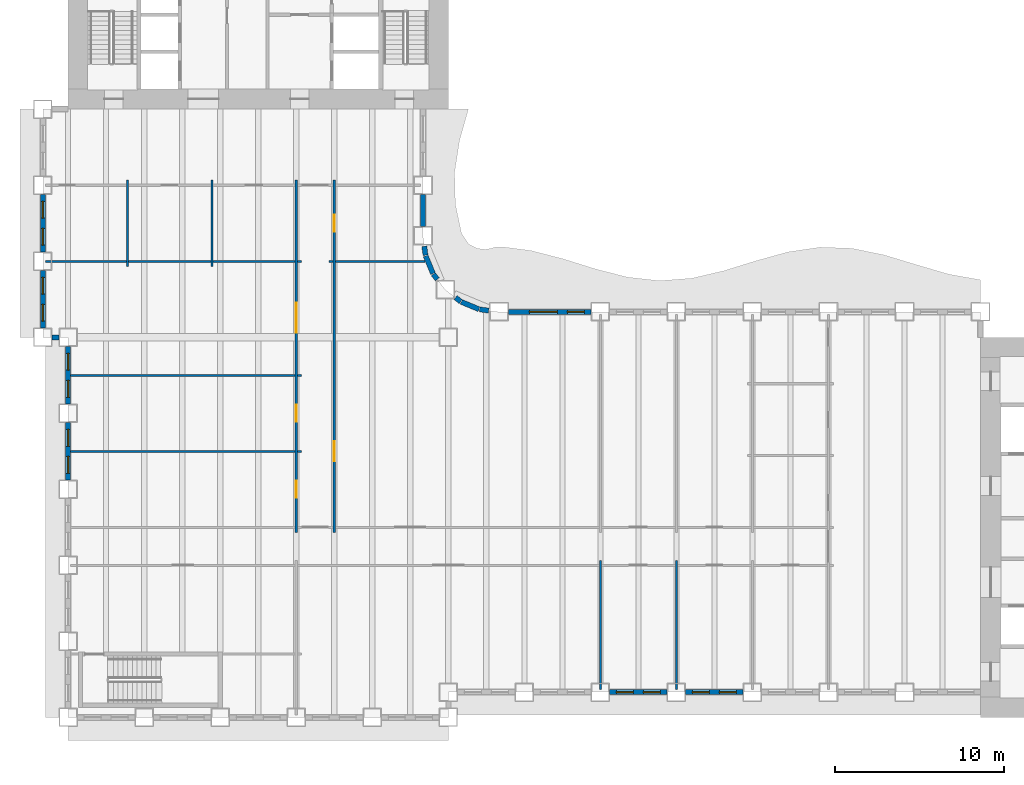
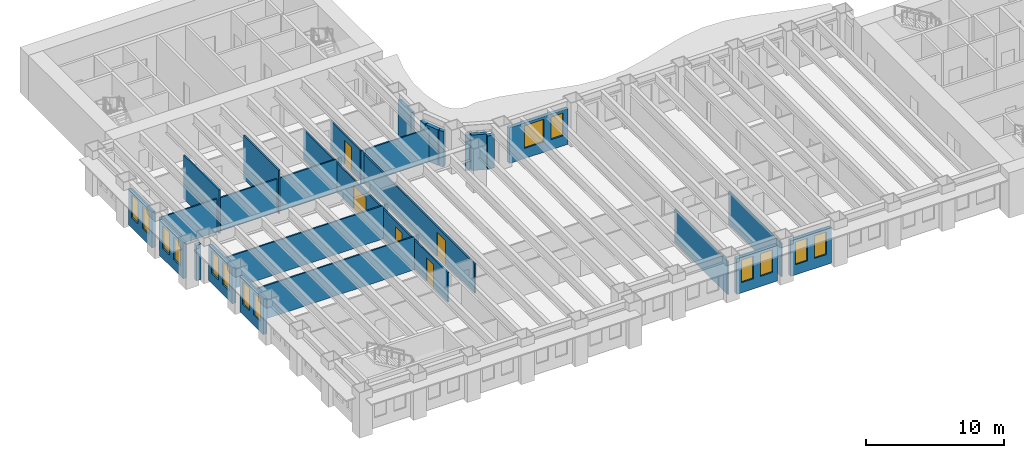
# One storey, part 4 of 15: 31 walls, 14 windows, 5 doors, 19 openings.
"""IFC4 building model written with IfcOpenShell, lengths in metres."""

from ifc_helpers import new_model, si_unit, direction, frame, frame_2d, origin, place, context, subcontext, project, spatial, rectangle, extrude, material, layer, layer_set, type_object, element, fill, save


model = new_model("IFC4")

# Units and contexts
model_context = context("Model", 3, precision=1e-05, world=origin(), true_north=direction((0.0, 1.0)))
body_context = subcontext(model_context, "Body", "Model", "MODEL_VIEW")
ifc_project = project(units=[si_unit("LENGTHUNIT", "METRE"), si_unit("AREAUNIT", "SQUARE_METRE"), si_unit("VOLUMEUNIT", "CUBIC_METRE"), si_unit("PLANEANGLEUNIT", "RADIAN"), si_unit("MASSUNIT", "GRAM", prefix="KILO")], contexts=[model_context])

# Site, building, storey
site_placement = place(None, origin())
site = spatial("IfcSite", under=ifc_project, at=site_placement, CompositionType="ELEMENT")
building_placement = place(site_placement, origin())
building = spatial("IfcBuilding", under=site, at=building_placement, Name="Sennacour Bend Tower", CompositionType="ELEMENT")
storey_placement = place(building_placement, frame((0.0, 0.0, 65.0)))
storey = spatial("IfcBuildingStorey", under=building, at=storey_placement, Name="L14", CompositionType="ELEMENT", Elevation=65.0)

# Walls
ifc_material_1 = material(Name="Plasterboard partition on steel studs", Category="steel")
ifc_layer_1 = layer(ifc_material_1, 0.1201171875, Name="Plasterboard partition on steel studs", Category="steel")
ifc_layer_set_1 = layer_set([ifc_layer_1], Name="Plasterboard partition on steel studs")
wall_type_1 = type_object("IfcWallType", Name="Partition 120", PredefinedType="PARTITIONING", material=ifc_layer_set_1)
for number, where, z_axis, x_axis, name in (
    (1, (3.5, 26.699951171875, 0.0), (0.0, 0.0, 1.0), (0.0, 1.0, 0.0), "P-L14-W004a"),
    (2, (8.5, 26.699951171875, 0.0), (0.0, 0.0, 1.0), (0.0, 1.0, 0.0), "P-L14-W008a"),
):
    element("IfcWall", number, at=place(storey_placement, frame(where, z_axis=z_axis, x_axis=x_axis)), inside=storey, type_object=wall_type_1, Name=name, PredefinedType="PARTITIONING", context=body_context, shape_type="SweptSolid", body=[
        extrude(rectangle(XDim=5.10009765625, YDim=0.1201171875, at=frame_2d((2.550048828125, 0.0))), origin(), (0.0, 0.0, 1.0), 3.85009765625),
    ])

# Wall, openings, doors
wall_1_placement = place(storey_placement, frame((13.5, 10.949951171875, 0.0), z_axis=(0.0, 0.0, 1.0), x_axis=(0.0, 1.0, 0.0)))
wall_1 = element("IfcWall", 3, at=wall_1_placement, inside=storey, type_object=wall_type_1, Name="P-L14-W013a", PredefinedType="PARTITIONING", context=body_context, shape_type="SweptSolid", body=[
    extrude(rectangle(XDim=20.85009765625, YDim=0.1201171875, at=frame_2d((10.425048828125, 0.0))), origin(), (0.0, 0.0, 1.0), 2.60009765625),
])
opening_1_placement = place(wall_1_placement, frame((2.050048828125, 0.0, 0.0)))
opening_1 = element("IfcOpeningElement", 4, at=opening_1_placement, cuts=wall_1, Name="Opening OD2", PredefinedType="OPENING", context=body_context, shape_type="SweptSolid", body=[
    extrude(rectangle(XDim=1.0, YDim=2.10009765625, at=frame_2d((0.5, 1.050048828125))), frame((0.0, 0.070068359375, 0.0), z_axis=(0.0, -1.0, 0.0), x_axis=(1.0, 0.0, 0.0)), (0.0, 0.0, 1.0), 0.14013671875),
])
opening_2_placement = place(wall_1_placement, frame((6.550048828125, 0.0, 0.0)))
opening_2 = element("IfcOpeningElement", 5, at=opening_2_placement, cuts=wall_1, Name="Opening OD2", PredefinedType="OPENING", context=body_context, shape_type="SweptSolid", body=[
    extrude(rectangle(XDim=1.0, YDim=2.10009765625, at=frame_2d((0.5, 1.050048828125))), frame((0.0, 0.070068359375, 0.0), z_axis=(0.0, -1.0, 0.0), x_axis=(1.0, 0.0, 0.0)), (0.0, 0.0, 1.0), 0.14013671875),
])
opening_3_placement = place(wall_1_placement, frame((11.804931640625, 0.0, 0.0)))
opening_3 = element("IfcOpeningElement", 6, at=opening_3_placement, cuts=wall_1, Name="Opening OD3", PredefinedType="OPENING", context=body_context, shape_type="SweptSolid", body=[
    extrude(rectangle(XDim=1.800048828125, YDim=2.10009765625, at=frame_2d((0.89990234375, 1.050048828125))), frame((0.0, 0.070068359375, 0.0), z_axis=(0.0, -1.0, 0.0), x_axis=(1.0, 0.0, 0.0)), (0.0, 0.0, 1.0), 0.14013671875),
])
ifc_material_2 = material(Name="Timber", Category="wood")
door_type_1 = type_object("IfcDoorType", Name="DR-OFFICE-1000", OperationType="NOTDEFINED", PredefinedType="DOOR", material=ifc_material_2)
door_1_placement = place(opening_1_placement, origin())
door_1 = element("IfcDoor", 7, at=door_1_placement, inside=storey, type_object=door_type_1, Name="Door", OperationType="SINGLE_SWING_LEFT", OverallHeight=2.10009765625, OverallWidth=1.0, PredefinedType="DOOR", context=body_context, shape_type="SweptSolid", body=[
    extrude(rectangle(XDim=1.0, YDim=2.10009765625, at=frame_2d((0.5, 1.050048828125))), frame((0.0, 0.02490234375, 0.0), z_axis=(0.0, -1.0, 0.0), x_axis=(1.0, 0.0, 0.0)), (0.0, 0.0, 1.0), 0.050048828125),
])
fill(opening_1, door_1)
door_2_placement = place(opening_2_placement, origin())
door_2 = element("IfcDoor", 8, at=door_2_placement, inside=storey, type_object=door_type_1, Name="Door", OperationType="SINGLE_SWING_LEFT", OverallHeight=2.10009765625, OverallWidth=1.0, PredefinedType="DOOR", context=body_context, shape_type="SweptSolid", body=[
    extrude(rectangle(XDim=1.0, YDim=2.10009765625, at=frame_2d((0.5, 1.050048828125))), frame((0.0, 0.02490234375, 0.0), z_axis=(0.0, -1.0, 0.0), x_axis=(1.0, 0.0, 0.0)), (0.0, 0.0, 1.0), 0.050048828125),
])
fill(opening_2, door_2)
door_type_2 = type_object("IfcDoorType", Name="DR-OFFICE-1800", OperationType="NOTDEFINED", PredefinedType="DOOR", material=ifc_material_2)
door_3_placement = place(opening_3_placement, origin())
door_3 = element("IfcDoor", 9, at=door_3_placement, inside=storey, type_object=door_type_2, Name="Door", OperationType="DOUBLE_DOOR_SINGLE_SWING", OverallHeight=2.10009765625, OverallWidth=1.800048828125, PredefinedType="DOOR", context=body_context, shape_type="SweptSolid", body=[
    extrude(rectangle(XDim=1.800048828125, YDim=2.10009765625, at=frame_2d((0.89990234375, 1.050048828125))), frame((0.0, 0.02490234375, 0.0), z_axis=(0.0, -1.0, 0.0), x_axis=(1.0, 0.0, 0.0)), (0.0, 0.0, 1.0), 0.050048828125),
])
fill(opening_3, door_3)

wall_2_placement = place(storey_placement, frame((15.75, 10.949951171875, 0.0), z_axis=(0.0, 0.0, 1.0), x_axis=(0.0, 1.0, 0.0)))
wall_2 = element("IfcWall", 10, at=wall_2_placement, inside=storey, type_object=wall_type_1, Name="P-L14-W017a", PredefinedType="PARTITIONING", context=body_context, shape_type="SweptSolid", body=[
    extrude(rectangle(XDim=20.85009765625, YDim=0.1201171875, at=frame_2d((10.425048828125, 0.0))), origin(), (0.0, 0.0, 1.0), 2.60009765625),
])
opening_4_placement = place(wall_2_placement, frame((17.800048828125, 0.0, 0.0)))
opening_4 = element("IfcOpeningElement", 11, at=opening_4_placement, cuts=wall_2, Name="Opening OD2", PredefinedType="OPENING", context=body_context, shape_type="SweptSolid", body=[
    extrude(rectangle(XDim=1.0, YDim=2.10009765625, at=frame_2d((0.5, 1.050048828125))), frame((0.0, 0.070068359375, 0.0), z_axis=(0.0, -1.0, 0.0), x_axis=(1.0, 0.0, 0.0)), (0.0, 0.0, 1.0), 0.14013671875),
])
opening_5_placement = place(wall_2_placement, frame((4.199951171875, 0.0, 0.0)))
opening_5 = element("IfcOpeningElement", 12, at=opening_5_placement, cuts=wall_2, Name="Opening OD", PredefinedType="OPENING", context=body_context, shape_type="SweptSolid", body=[
    extrude(rectangle(XDim=1.199951171875, YDim=2.10009765625, at=frame_2d((0.60009765625, 1.050048828125))), frame((0.0, 0.070068359375, 0.0), z_axis=(0.0, -1.0, 0.0), x_axis=(1.0, 0.0, 0.0)), (0.0, 0.0, 1.0), 0.14013671875),
])
door_4_placement = place(opening_4_placement, origin())
door_4 = element("IfcDoor", 13, at=door_4_placement, inside=storey, type_object=door_type_1, Name="Door", OperationType="SINGLE_SWING_RIGHT", OverallHeight=2.10009765625, OverallWidth=1.0, PredefinedType="DOOR", context=body_context, shape_type="SweptSolid", body=[
    extrude(rectangle(XDim=1.0, YDim=2.10009765625, at=frame_2d((0.5, 1.050048828125))), frame((0.0, 0.02490234375, 0.0), z_axis=(0.0, -1.0, 0.0), x_axis=(1.0, 0.0, 0.0)), (0.0, 0.0, 1.0), 0.050048828125),
])
fill(opening_4, door_4)
door_type_3 = type_object("IfcDoorType", Name="DR-OFFICE-1200", OperationType="NOTDEFINED", PredefinedType="DOOR", material=ifc_material_2)
door_5_placement = place(opening_5_placement, origin())
door_5 = element("IfcDoor", 14, at=door_5_placement, inside=storey, type_object=door_type_3, Name="Door", OperationType="SINGLE_SWING_LEFT", OverallHeight=2.10009765625, OverallWidth=1.199951171875, PredefinedType="DOOR", context=body_context, shape_type="SweptSolid", body=[
    extrude(rectangle(XDim=1.199951171875, YDim=2.10009765625, at=frame_2d((0.60009765625, 1.050048828125))), frame((0.0, 0.02490234375, 0.0), z_axis=(0.0, -1.0, 0.0), x_axis=(1.0, 0.0, 0.0)), (0.0, 0.0, 1.0), 0.050048828125),
])
fill(opening_5, door_5)

# Walls
for number, where, z_axis, x_axis, name in (
    (15, (31.5, 1.64990234375, 0.0), (0.0, 0.0, 1.0), (0.0, 1.0, 0.0), "P-L14-W023a"),
    (16, (36.0, 1.64990234375, 0.0), (0.0, 0.0, 1.0), (0.0, 1.0, 0.0), "P-L14-W025a"),
):
    element("IfcWall", number, at=place(storey_placement, frame(where, z_axis=z_axis, x_axis=x_axis)), inside=storey, type_object=wall_type_1, Name=name, PredefinedType="PARTITIONING", context=body_context, shape_type="SweptSolid", body=[
        extrude(rectangle(XDim=7.650146484375, YDim=0.1201171875, at=frame_2d((3.8251953125, 0.0))), origin(), (0.0, 0.0, 1.0), 2.93798828125),
    ])
wall_3_placement = place(storey_placement, frame((0.14990234375, 15.75, 0.0), z_axis=(0.0, 0.0, 1.0), x_axis=(1.0, 0.0, 0.0)))
element("IfcWall", 17, at=wall_3_placement, inside=storey, type_object=wall_type_1, Name="P-L14-W059aa", PredefinedType="PARTITIONING", context=body_context, shape_type="SweptSolid", body=[
    extrude(rectangle(XDim=13.2900390625, YDim=0.1201171875, at=frame_2d((6.64501953125, 0.0))), origin(), (0.0, 0.0, 1.0), 2.93798828125),
])
wall_4_placement = place(storey_placement, frame((13.56005859375, 15.75, 0.0), z_axis=(0.0, 0.0, 1.0), x_axis=(1.0, 0.0, 0.0)))
element("IfcWall", 18, at=wall_4_placement, inside=storey, type_object=wall_type_1, Name="P-L14-W059ab", PredefinedType="PARTITIONING", context=body_context, shape_type="SweptSolid", body=[
    extrude(rectangle(XDim=0.239990234375, YDim=0.1201171875, at=frame_2d((0.1201171875, 0.0))), origin(), (0.0, 0.0, 1.0), 2.93798828125),
])
wall_5_placement = place(storey_placement, frame((0.14990234375, 20.25, 0.0), z_axis=(0.0, 0.0, 1.0), x_axis=(1.0, 0.0, 0.0)))
element("IfcWall", 19, at=wall_5_placement, inside=storey, type_object=wall_type_1, Name="P-L14-W065aa", PredefinedType="PARTITIONING", context=body_context, shape_type="SweptSolid", body=[
    extrude(rectangle(XDim=13.2900390625, YDim=0.1201171875, at=frame_2d((6.64501953125, 0.0))), origin(), (0.0, 0.0, 1.0), 2.93798828125),
])
wall_6_placement = place(storey_placement, frame((13.56005859375, 20.25, 0.0), z_axis=(0.0, 0.0, 1.0), x_axis=(1.0, 0.0, 0.0)))
element("IfcWall", 20, at=wall_6_placement, inside=storey, type_object=wall_type_1, Name="P-L14-W065ab", PredefinedType="PARTITIONING", context=body_context, shape_type="SweptSolid", body=[
    extrude(rectangle(XDim=0.239990234375, YDim=0.1201171875, at=frame_2d((0.1201171875, 0.0))), origin(), (0.0, 0.0, 1.0), 2.93798828125),
])
wall_7_placement = place(storey_placement, frame((-1.35009765625, 27.0, 0.0), z_axis=(0.0, 0.0, 1.0), x_axis=(1.0, 0.0, 0.0)))
element("IfcWall", 21, at=wall_7_placement, inside=storey, type_object=wall_type_1, Name="P-L14-W067aa", PredefinedType="PARTITIONING", context=body_context, shape_type="SweptSolid", body=[
    extrude(rectangle(XDim=4.7900390625, YDim=0.1201171875, at=frame_2d((2.39501953125, 0.0))), origin(), (0.0, 0.0, 1.0), 2.93798828125),
])
for number, where, z_axis, x_axis, name in (
    (22, (3.56005859375, 27.0, 0.0), (0.0, 0.0, 1.0), (1.0, 0.0, 0.0), "P-L14-W067ab"),
    (23, (8.56005859375, 27.0, 0.0), (0.0, 0.0, 1.0), (1.0, 0.0, 0.0), "P-L14-W067ac"),
):
    element("IfcWall", number, at=place(storey_placement, frame(where, z_axis=z_axis, x_axis=x_axis)), inside=storey, type_object=wall_type_1, Name=name, PredefinedType="PARTITIONING", context=body_context, shape_type="SweptSolid", body=[
        extrude(rectangle(XDim=4.8798828125, YDim=0.1201171875, at=frame_2d((2.43994140625, 0.0))), origin(), (0.0, 0.0, 1.0), 2.93798828125),
    ])
for number, where, z_axis, x_axis, name in (
    (24, (13.56005859375, 27.0, 0.0), (0.0, 0.0, 1.0), (1.0, 0.0, 0.0), "P-L14-W067ad"),
    (25, (15.449951171875, 27.0, 0.0), (0.0, 0.0, 1.0), (1.0, 0.0, 0.0), "P-L14-W068aa"),
):
    element("IfcWall", number, at=place(storey_placement, frame(where, z_axis=z_axis, x_axis=x_axis)), inside=storey, type_object=wall_type_1, Name=name, PredefinedType="PARTITIONING", context=body_context, shape_type="SweptSolid", body=[
        extrude(rectangle(XDim=0.239990234375, YDim=0.1201171875, at=frame_2d((0.1201171875, 0.0))), origin(), (0.0, 0.0, 1.0), 2.93798828125),
    ])
wall_8_placement = place(storey_placement, frame((15.81005859375, 27.0, 0.0), z_axis=(0.0, 0.0, 1.0), x_axis=(1.0, 0.0, 0.0)))
element("IfcWall", 26, at=wall_8_placement, inside=storey, type_object=wall_type_1, Name="P-L14-W068ab", PredefinedType="PARTITIONING", context=body_context, shape_type="SweptSolid", body=[
    extrude(rectangle(XDim=5.31982421875, YDim=0.1201171875, at=frame_2d((2.659912109375, 0.0))), origin(), (0.0, 0.0, 1.0), 2.93798828125),
])

# Wall, openings, windows
ifc_material_3 = material(Name="Warm limestone cladding", Category="masonry")
ifc_layer_2 = layer(ifc_material_3, 0.050048828125, Name="Warm limestone cladding", Category="masonry")
ifc_material_4 = material(Name="Precast concrete C40/50", Category="concrete")
ifc_layer_3 = layer(ifc_material_4, 0.25, Name="Precast concrete C40/50", Category="concrete")
ifc_layer_set_2 = layer_set([ifc_layer_2, ifc_layer_3], Name="Precast concrete C40/50 with limestone cladding")
wall_type_2 = type_object("IfcWallType", Name="STONE-CLAD PRECAST SPANDREL 300", PredefinedType="STANDARD", material=ifc_layer_set_2)
wall_9_placement = place(storey_placement, frame((32.050048828125, 1.5, 0.0), z_axis=(0.0, 0.0, 1.0), x_axis=(1.0, 0.0, 0.0)))
wall_9 = element("IfcWall", 27, at=wall_9_placement, inside=storey, type_object=wall_type_2, Name="Stone spandrel and pier wall L14 02.02", PredefinedType="STANDARD", context=body_context, shape_type="SweptSolid", body=[
    extrude(rectangle(XDim=3.39990234375, YDim=0.300048828125, at=frame_2d((1.699951171875, 0.0))), origin(), (0.0, 0.0, 1.0), 3.14404296875),
])
opening_6_placement = place(wall_9_placement, frame((0.39990234375, 0.0, 0.89990234375)))
opening_6 = element("IfcOpeningElement", 28, at=opening_6_placement, cuts=wall_9, Name="Opening W8", PredefinedType="OPENING", context=body_context, shape_type="SweptSolid", body=[
    extrude(rectangle(XDim=1.0, YDim=2.0, at=frame_2d((0.5, 1.0))), frame((0.0, 0.16015625, 0.0), z_axis=(0.0, -1.0, 0.0), x_axis=(1.0, 0.0, 0.0)), (0.0, 0.0, 1.0), 0.320068359375),
])
opening_7_placement = place(wall_9_placement, frame((2.0, 0.0, 0.89990234375)))
opening_7 = element("IfcOpeningElement", 29, at=opening_7_placement, cuts=wall_9, Name="Opening W8", PredefinedType="OPENING", context=body_context, shape_type="SweptSolid", body=[
    extrude(rectangle(XDim=1.0, YDim=2.0, at=frame_2d((0.5, 1.0))), frame((0.0, 0.16015625, 0.0), z_axis=(0.0, -1.0, 0.0), x_axis=(1.0, 0.0, 0.0)), (0.0, 0.0, 1.0), 0.320068359375),
])
ifc_material_5 = material(Name="Clear low-emissivity glass", Category="glass")
window_type_1 = type_object("IfcWindowType", Name="WIN-RIBBON-1000x2000", PartitioningType="SINGLE_PANEL", PredefinedType="WINDOW", material=ifc_material_5)
window_1_placement = place(opening_6_placement, origin())
window_1 = element("IfcWindow", 30, at=window_1_placement, inside=storey, type_object=window_type_1, Name="Ribbon window L14 02.02.0", OverallHeight=2.0, OverallWidth=1.0, PartitioningType="SINGLE_PANEL", PredefinedType="WINDOW", context=body_context, shape_type="SweptSolid", body=[
    extrude(rectangle(XDim=1.0, YDim=2.0, at=frame_2d((0.5, 1.0))), frame((0.0, 0.030029296875, 0.0), z_axis=(0.0, -1.0, 0.0), x_axis=(1.0, 0.0, 0.0)), (0.0, 0.0, 1.0), 0.06005859375),
])
fill(opening_6, window_1)
window_2_placement = place(opening_7_placement, origin())
window_2 = element("IfcWindow", 31, at=window_2_placement, inside=storey, type_object=window_type_1, Name="Ribbon window L14 02.02.1", OverallHeight=2.0, OverallWidth=1.0, PartitioningType="SINGLE_PANEL", PredefinedType="WINDOW", context=body_context, shape_type="SweptSolid", body=[
    extrude(rectangle(XDim=1.0, YDim=2.0, at=frame_2d((0.5, 1.0))), frame((0.0, 0.030029296875, 0.0), z_axis=(0.0, -1.0, 0.0), x_axis=(1.0, 0.0, 0.0)), (0.0, 0.0, 1.0), 0.06005859375),
])
fill(opening_7, window_2)

wall_10_placement = place(storey_placement, frame((36.550048828125, 1.5, 0.0), z_axis=(0.0, 0.0, 1.0), x_axis=(1.0, 0.0, 0.0)))
wall_10 = element("IfcWall", 32, at=wall_10_placement, inside=storey, type_object=wall_type_2, Name="Stone spandrel and pier wall L14 02.03", PredefinedType="STANDARD", context=body_context, shape_type="SweptSolid", body=[
    extrude(rectangle(XDim=3.39990234375, YDim=0.300048828125, at=frame_2d((1.699951171875, 0.0))), origin(), (0.0, 0.0, 1.0), 3.14404296875),
])
opening_8_placement = place(wall_10_placement, frame((0.39990234375, 0.0, 0.89990234375)))
opening_8 = element("IfcOpeningElement", 33, at=opening_8_placement, cuts=wall_10, Name="Opening W8", PredefinedType="OPENING", context=body_context, shape_type="SweptSolid", body=[
    extrude(rectangle(XDim=1.0, YDim=2.0, at=frame_2d((0.5, 1.0))), frame((0.0, 0.16015625, 0.0), z_axis=(0.0, -1.0, 0.0), x_axis=(1.0, 0.0, 0.0)), (0.0, 0.0, 1.0), 0.320068359375),
])
opening_9_placement = place(wall_10_placement, frame((2.0, 0.0, 0.89990234375)))
opening_9 = element("IfcOpeningElement", 34, at=opening_9_placement, cuts=wall_10, Name="Opening W8", PredefinedType="OPENING", context=body_context, shape_type="SweptSolid", body=[
    extrude(rectangle(XDim=1.0, YDim=2.0, at=frame_2d((0.5, 1.0))), frame((0.0, 0.16015625, 0.0), z_axis=(0.0, -1.0, 0.0), x_axis=(1.0, 0.0, 0.0)), (0.0, 0.0, 1.0), 0.320068359375),
])
window_3_placement = place(opening_8_placement, origin())
window_3 = element("IfcWindow", 35, at=window_3_placement, inside=storey, type_object=window_type_1, Name="Ribbon window L14 02.03.0", OverallHeight=2.0, OverallWidth=1.0, PartitioningType="SINGLE_PANEL", PredefinedType="WINDOW", context=body_context, shape_type="SweptSolid", body=[
    extrude(rectangle(XDim=1.0, YDim=2.0, at=frame_2d((0.5, 1.0))), frame((0.0, 0.030029296875, 0.0), z_axis=(0.0, -1.0, 0.0), x_axis=(1.0, 0.0, 0.0)), (0.0, 0.0, 1.0), 0.06005859375),
])
fill(opening_8, window_3)
window_4_placement = place(opening_9_placement, origin())
window_4 = element("IfcWindow", 36, at=window_4_placement, inside=storey, type_object=window_type_1, Name="Ribbon window L14 02.03.1", OverallHeight=2.0, OverallWidth=1.0, PartitioningType="SINGLE_PANEL", PredefinedType="WINDOW", context=body_context, shape_type="SweptSolid", body=[
    extrude(rectangle(XDim=1.0, YDim=2.0, at=frame_2d((0.5, 1.0))), frame((0.0, 0.030029296875, 0.0), z_axis=(0.0, -1.0, 0.0), x_axis=(1.0, 0.0, 0.0)), (0.0, 0.0, 1.0), 0.06005859375),
])
fill(opening_9, window_4)

wall_11_placement = place(storey_placement, frame((30.949951171875, 24.0, 0.0), z_axis=(0.0, 0.0, 1.0), x_axis=(-1.0, 0.0, 0.0)))
wall_11 = element("IfcWall", 37, at=wall_11_placement, inside=storey, type_object=wall_type_2, Name="Stone spandrel and pier wall L14 08.05", PredefinedType="STANDARD", context=body_context, shape_type="SweptSolid", body=[
    extrude(rectangle(XDim=4.89990234375, YDim=0.300048828125, at=frame_2d((2.449951171875, 0.0))), origin(), (0.0, 0.0, 1.0), 3.14404296875),
])
opening_10_placement = place(wall_11_placement, frame((0.39990234375, 0.0, 0.89990234375)))
opening_10 = element("IfcOpeningElement", 38, at=opening_10_placement, cuts=wall_11, Name="Opening W8", PredefinedType="OPENING", context=body_context, shape_type="SweptSolid", body=[
    extrude(rectangle(XDim=1.0, YDim=2.0, at=frame_2d((0.5, 1.0))), frame((0.0, 0.16015625, 0.0), z_axis=(0.0, -1.0, 0.0), x_axis=(1.0, 0.0, 0.0)), (0.0, 0.0, 1.0), 0.320068359375),
])
opening_11_placement = place(wall_11_placement, frame((2.0, 0.0, 0.89990234375)))
opening_11 = element("IfcOpeningElement", 39, at=opening_11_placement, cuts=wall_11, Name="Opening W10", PredefinedType="OPENING", context=body_context, shape_type="SweptSolid", body=[
    extrude(rectangle(XDim=1.64990234375, YDim=2.0, at=frame_2d((0.824951171875, 1.0))), frame((0.0, 0.16015625, 0.0), z_axis=(0.0, -1.0, 0.0), x_axis=(1.0, 0.0, 0.0)), (0.0, 0.0, 1.0), 0.320068359375),
])
window_5_placement = place(opening_10_placement, origin())
window_5 = element("IfcWindow", 40, at=window_5_placement, inside=storey, type_object=window_type_1, Name="Ribbon window L14 08.05.0", OverallHeight=2.0, OverallWidth=1.0, PartitioningType="SINGLE_PANEL", PredefinedType="WINDOW", context=body_context, shape_type="SweptSolid", body=[
    extrude(rectangle(XDim=1.0, YDim=2.0, at=frame_2d((0.5, 1.0))), frame((0.0, 0.030029296875, 0.0), z_axis=(0.0, -1.0, 0.0), x_axis=(1.0, 0.0, 0.0)), (0.0, 0.0, 1.0), 0.06005859375),
])
fill(opening_10, window_5)
window_type_2 = type_object("IfcWindowType", Name="WIN-RIBBON-1650x2000", PartitioningType="SINGLE_PANEL", PredefinedType="WINDOW", material=ifc_material_5)
window_6_placement = place(opening_11_placement, origin())
window_6 = element("IfcWindow", 41, at=window_6_placement, inside=storey, type_object=window_type_2, Name="Ribbon window L14 08.05.1", OverallHeight=2.0, OverallWidth=1.64990234375, PartitioningType="SINGLE_PANEL", PredefinedType="WINDOW", context=body_context, shape_type="SweptSolid", body=[
    extrude(rectangle(XDim=1.64990234375, YDim=2.0, at=frame_2d((0.824951171875, 1.0))), frame((0.0, 0.030029296875, 0.0), z_axis=(0.0, -1.0, 0.0), x_axis=(1.0, 0.0, 0.0)), (0.0, 0.0, 1.0), 0.06005859375),
])
fill(opening_11, window_6)

# Walls
wall_12_placement = place(storey_placement, frame((24.88818359375, 24.08056640625, 0.0), z_axis=(0.0, 0.0, 1.0), x_axis=(-0.991417173479, 0.130736330569, 0.0)))
element("IfcWall", 42, at=wall_12_placement, inside=storey, type_object=wall_type_2, Name="Stone spandrel and pier wall L14 09.00", PredefinedType="STANDARD", context=body_context, shape_type="SweptSolid", body=[
    extrude(rectangle(XDim=0.537841796875, YDim=0.300048828125, at=frame_2d((0.26904296875, 0.0))), origin(), (0.0, 0.0, 1.0), 2.93798828125),
])
wall_13_placement = place(storey_placement, frame((24.317138671875, 24.160888671875, 0.0), z_axis=(0.0, 0.0, 1.0), x_axis=(-0.923914616768, 0.382598720491, 0.0)))
element("IfcWall", 43, at=wall_13_placement, inside=storey, type_object=wall_type_2, Name="Stone spandrel and pier wall L14 10.00", PredefinedType="STANDARD", context=body_context, shape_type="SweptSolid", body=[
    extrude(rectangle(XDim=1.13525390625, YDim=0.300048828125, at=frame_2d((0.567626953125, 0.0))), origin(), (0.0, 0.0, 1.0), 3.14404296875),
])
for number, where, z_axis, x_axis, name in (
    (44, (23.234375, 24.614990234375, 0.0), (0.0, 0.0, 1.0), (-0.79354495224, 0.60851163405, 0.0), "Stone spandrel and pier wall L14 11.00"),
    (45, (21.8486328125, 25.9296875, 0.0), (0.0, 0.0, 1.0), (-0.60851163405, 0.79354495224, 0.0), "Stone spandrel and pier wall L14 12.00"),
):
    element("IfcWall", number, at=place(storey_placement, frame(where, z_axis=z_axis, x_axis=x_axis)), inside=storey, type_object=wall_type_2, Name=name, PredefinedType="STANDARD", context=body_context, shape_type="SweptSolid", body=[
        extrude(rectangle(XDim=0.384033203125, YDim=0.300048828125, at=frame_2d((0.19189453125, 0.0))), origin(), (0.0, 0.0, 1.0), 3.14404296875),
    ])
wall_14_placement = place(storey_placement, frame((21.59521484375, 26.268310546875, 0.0), z_axis=(0.0, 0.0, 1.0), x_axis=(-0.382598720491, 0.923914616768, 0.0)))
element("IfcWall", 46, at=wall_14_placement, inside=storey, type_object=wall_type_2, Name="Stone spandrel and pier wall L14 13.00", PredefinedType="STANDARD", context=body_context, shape_type="SweptSolid", body=[
    extrude(rectangle(XDim=1.13525390625, YDim=0.300048828125, at=frame_2d((0.567626953125, 0.0))), origin(), (0.0, 0.0, 1.0), 3.14404296875),
])
wall_15_placement = place(storey_placement, frame((21.15087890625, 27.35498046875, 0.0), z_axis=(0.0, 0.0, 1.0), x_axis=(-0.130736330569, 0.991417173479, 0.0)))
element("IfcWall", 47, at=wall_15_placement, inside=storey, type_object=wall_type_2, Name="Stone spandrel and pier wall L14 14.00", PredefinedType="STANDARD", context=body_context, shape_type="SweptSolid", body=[
    extrude(rectangle(XDim=0.537841796875, YDim=0.300048828125, at=frame_2d((0.26904296875, 0.0))), origin(), (0.0, 0.0, 1.0), 3.14404296875),
])
wall_16_placement = place(storey_placement, frame((21.0, 29.050048828125, 0.0), z_axis=(0.0, 0.0, 1.0), x_axis=(0.0, 1.0, 0.0)))
element("IfcWall", 48, at=wall_16_placement, inside=storey, type_object=wall_type_2, Name="Stone spandrel and pier wall L14 15.00", PredefinedType="STANDARD", context=body_context, shape_type="SweptSolid", body=[
    extrude(rectangle(XDim=1.89990234375, YDim=0.300048828125, at=frame_2d((0.949951171875, 0.0))), origin(), (0.0, 0.0, 1.0), 3.14404296875),
])

# Wall, openings, windows
wall_17_placement = place(storey_placement, frame((-1.5, 30.949951171875, 0.0), z_axis=(0.0, 0.0, 1.0), x_axis=(0.0, -1.0, 0.0)))
wall_17 = element("IfcWall", 49, at=wall_17_placement, inside=storey, type_object=wall_type_2, Name="Stone spandrel and pier wall L14 21.01", PredefinedType="STANDARD", context=body_context, shape_type="SweptSolid", body=[
    extrude(rectangle(XDim=3.39990234375, YDim=0.300048828125, at=frame_2d((1.699951171875, 0.0))), origin(), (0.0, 0.0, 1.0), 3.14404296875),
])
opening_12_placement = place(wall_17_placement, frame((0.39990234375, 0.0, 0.89990234375)))
opening_12 = element("IfcOpeningElement", 50, at=opening_12_placement, cuts=wall_17, Name="Opening W8", PredefinedType="OPENING", context=body_context, shape_type="SweptSolid", body=[
    extrude(rectangle(XDim=1.0, YDim=2.0, at=frame_2d((0.5, 1.0))), frame((0.0, 0.16015625, 0.0), z_axis=(0.0, -1.0, 0.0), x_axis=(1.0, 0.0, 0.0)), (0.0, 0.0, 1.0), 0.320068359375),
])
opening_13_placement = place(wall_17_placement, frame((2.0, 0.0, 0.89990234375)))
opening_13 = element("IfcOpeningElement", 51, at=opening_13_placement, cuts=wall_17, Name="Opening W8", PredefinedType="OPENING", context=body_context, shape_type="SweptSolid", body=[
    extrude(rectangle(XDim=1.0, YDim=2.0, at=frame_2d((0.5, 1.0))), frame((0.0, 0.16015625, 0.0), z_axis=(0.0, -1.0, 0.0), x_axis=(1.0, 0.0, 0.0)), (0.0, 0.0, 1.0), 0.320068359375),
])
window_7_placement = place(opening_12_placement, origin())
window_7 = element("IfcWindow", 52, at=window_7_placement, inside=storey, type_object=window_type_1, Name="Ribbon window L14 21.01.0", OverallHeight=2.0, OverallWidth=1.0, PartitioningType="SINGLE_PANEL", PredefinedType="WINDOW", context=body_context, shape_type="SweptSolid", body=[
    extrude(rectangle(XDim=1.0, YDim=2.0, at=frame_2d((0.5, 1.0))), frame((0.0, 0.030029296875, 0.0), z_axis=(0.0, -1.0, 0.0), x_axis=(1.0, 0.0, 0.0)), (0.0, 0.0, 1.0), 0.06005859375),
])
fill(opening_12, window_7)
window_8_placement = place(opening_13_placement, origin())
window_8 = element("IfcWindow", 53, at=window_8_placement, inside=storey, type_object=window_type_1, Name="Ribbon window L14 21.01.1", OverallHeight=2.0, OverallWidth=1.0, PartitioningType="SINGLE_PANEL", PredefinedType="WINDOW", context=body_context, shape_type="SweptSolid", body=[
    extrude(rectangle(XDim=1.0, YDim=2.0, at=frame_2d((0.5, 1.0))), frame((0.0, 0.030029296875, 0.0), z_axis=(0.0, -1.0, 0.0), x_axis=(1.0, 0.0, 0.0)), (0.0, 0.0, 1.0), 0.06005859375),
])
fill(opening_13, window_8)

wall_18_placement = place(storey_placement, frame((-1.5, 26.449951171875, 0.0), z_axis=(0.0, 0.0, 1.0), x_axis=(0.0, -1.0, 0.0)))
wall_18 = element("IfcWall", 54, at=wall_18_placement, inside=storey, type_object=wall_type_2, Name="Stone spandrel and pier wall L14 21.02", PredefinedType="STANDARD", context=body_context, shape_type="SweptSolid", body=[
    extrude(rectangle(XDim=3.39990234375, YDim=0.300048828125, at=frame_2d((1.699951171875, 0.0))), origin(), (0.0, 0.0, 1.0), 3.14404296875),
])
opening_14_placement = place(wall_18_placement, frame((0.39990234375, 0.0, 0.89990234375)))
opening_14 = element("IfcOpeningElement", 55, at=opening_14_placement, cuts=wall_18, Name="Opening W8", PredefinedType="OPENING", context=body_context, shape_type="SweptSolid", body=[
    extrude(rectangle(XDim=1.0, YDim=2.0, at=frame_2d((0.5, 1.0))), frame((0.0, 0.16015625, 0.0), z_axis=(0.0, -1.0, 0.0), x_axis=(1.0, 0.0, 0.0)), (0.0, 0.0, 1.0), 0.320068359375),
])
opening_15_placement = place(wall_18_placement, frame((2.0, 0.0, 0.89990234375)))
opening_15 = element("IfcOpeningElement", 56, at=opening_15_placement, cuts=wall_18, Name="Opening W8", PredefinedType="OPENING", context=body_context, shape_type="SweptSolid", body=[
    extrude(rectangle(XDim=1.0, YDim=2.0, at=frame_2d((0.5, 1.0))), frame((0.0, 0.16015625, 0.0), z_axis=(0.0, -1.0, 0.0), x_axis=(1.0, 0.0, 0.0)), (0.0, 0.0, 1.0), 0.320068359375),
])
window_9_placement = place(opening_14_placement, origin())
window_9 = element("IfcWindow", 57, at=window_9_placement, inside=storey, type_object=window_type_1, Name="Ribbon window L14 21.02.0", OverallHeight=2.0, OverallWidth=1.0, PartitioningType="SINGLE_PANEL", PredefinedType="WINDOW", context=body_context, shape_type="SweptSolid", body=[
    extrude(rectangle(XDim=1.0, YDim=2.0, at=frame_2d((0.5, 1.0))), frame((0.0, 0.030029296875, 0.0), z_axis=(0.0, -1.0, 0.0), x_axis=(1.0, 0.0, 0.0)), (0.0, 0.0, 1.0), 0.06005859375),
])
fill(opening_14, window_9)
window_10_placement = place(opening_15_placement, origin())
window_10 = element("IfcWindow", 58, at=window_10_placement, inside=storey, type_object=window_type_1, Name="Ribbon window L14 21.02.1", OverallHeight=2.0, OverallWidth=1.0, PartitioningType="SINGLE_PANEL", PredefinedType="WINDOW", context=body_context, shape_type="SweptSolid", body=[
    extrude(rectangle(XDim=1.0, YDim=2.0, at=frame_2d((0.5, 1.0))), frame((0.0, 0.030029296875, 0.0), z_axis=(0.0, -1.0, 0.0), x_axis=(1.0, 0.0, 0.0)), (0.0, 0.0, 1.0), 0.06005859375),
])
fill(opening_15, window_10)

# Wall
wall_19_placement = place(storey_placement, frame((-0.949951171875, 22.5, 0.0), z_axis=(0.0, 0.0, 1.0), x_axis=(1.0, 0.0, 0.0)))
element("IfcWall", 59, at=wall_19_placement, inside=storey, type_object=wall_type_2, Name="Stone spandrel and pier wall L14 22.00", PredefinedType="STANDARD", context=body_context, shape_type="SweptSolid", body=[
    extrude(rectangle(XDim=0.39990234375, YDim=0.300048828125, at=frame_2d((0.199951171875, 0.0))), origin(), (0.0, 0.0, 1.0), 3.14404296875),
])

# Wall, openings, windows
wall_20_placement = place(storey_placement, frame((0.0, 21.949951171875, 0.0), z_axis=(0.0, 0.0, 1.0), x_axis=(0.0, -1.0, 0.0)))
wall_20 = element("IfcWall", 60, at=wall_20_placement, inside=storey, type_object=wall_type_2, Name="Stone spandrel and pier wall L14 23.00", PredefinedType="STANDARD", context=body_context, shape_type="SweptSolid", body=[
    extrude(rectangle(XDim=3.39990234375, YDim=0.300048828125, at=frame_2d((1.699951171875, 0.0))), origin(), (0.0, 0.0, 1.0), 3.14404296875),
])
opening_16_placement = place(wall_20_placement, frame((0.39990234375, 0.0, 0.89990234375)))
opening_16 = element("IfcOpeningElement", 61, at=opening_16_placement, cuts=wall_20, Name="Opening W8", PredefinedType="OPENING", context=body_context, shape_type="SweptSolid", body=[
    extrude(rectangle(XDim=1.0, YDim=2.0, at=frame_2d((0.5, 1.0))), frame((0.0, 0.16015625, 0.0), z_axis=(0.0, -1.0, 0.0), x_axis=(1.0, 0.0, 0.0)), (0.0, 0.0, 1.0), 0.320068359375),
])
opening_17_placement = place(wall_20_placement, frame((2.0, 0.0, 0.89990234375)))
opening_17 = element("IfcOpeningElement", 62, at=opening_17_placement, cuts=wall_20, Name="Opening W8", PredefinedType="OPENING", context=body_context, shape_type="SweptSolid", body=[
    extrude(rectangle(XDim=1.0, YDim=2.0, at=frame_2d((0.5, 1.0))), frame((0.0, 0.16015625, 0.0), z_axis=(0.0, -1.0, 0.0), x_axis=(1.0, 0.0, 0.0)), (0.0, 0.0, 1.0), 0.320068359375),
])
window_11_placement = place(opening_16_placement, origin())
window_11 = element("IfcWindow", 63, at=window_11_placement, inside=storey, type_object=window_type_1, Name="Ribbon window L14 23.00.0", OverallHeight=2.0, OverallWidth=1.0, PartitioningType="SINGLE_PANEL", PredefinedType="WINDOW", context=body_context, shape_type="SweptSolid", body=[
    extrude(rectangle(XDim=1.0, YDim=2.0, at=frame_2d((0.5, 1.0))), frame((0.0, 0.030029296875, 0.0), z_axis=(0.0, -1.0, 0.0), x_axis=(1.0, 0.0, 0.0)), (0.0, 0.0, 1.0), 0.06005859375),
])
fill(opening_16, window_11)
window_12_placement = place(opening_17_placement, origin())
window_12 = element("IfcWindow", 64, at=window_12_placement, inside=storey, type_object=window_type_1, Name="Ribbon window L14 23.00.1", OverallHeight=2.0, OverallWidth=1.0, PartitioningType="SINGLE_PANEL", PredefinedType="WINDOW", context=body_context, shape_type="SweptSolid", body=[
    extrude(rectangle(XDim=1.0, YDim=2.0, at=frame_2d((0.5, 1.0))), frame((0.0, 0.030029296875, 0.0), z_axis=(0.0, -1.0, 0.0), x_axis=(1.0, 0.0, 0.0)), (0.0, 0.0, 1.0), 0.06005859375),
])
fill(opening_17, window_12)

wall_21_placement = place(storey_placement, frame((0.0, 17.449951171875, 0.0), z_axis=(0.0, 0.0, 1.0), x_axis=(0.0, -1.0, 0.0)))
wall_21 = element("IfcWall", 65, at=wall_21_placement, inside=storey, type_object=wall_type_2, Name="Stone spandrel and pier wall L14 23.01", PredefinedType="STANDARD", context=body_context, shape_type="SweptSolid", body=[
    extrude(rectangle(XDim=3.39990234375, YDim=0.300048828125, at=frame_2d((1.699951171875, 0.0))), origin(), (0.0, 0.0, 1.0), 3.14404296875),
])
opening_18_placement = place(wall_21_placement, frame((0.39990234375, 0.0, 0.89990234375)))
opening_18 = element("IfcOpeningElement", 66, at=opening_18_placement, cuts=wall_21, Name="Opening W8", PredefinedType="OPENING", context=body_context, shape_type="SweptSolid", body=[
    extrude(rectangle(XDim=1.0, YDim=2.0, at=frame_2d((0.5, 1.0))), frame((0.0, 0.16015625, 0.0), z_axis=(0.0, -1.0, 0.0), x_axis=(1.0, 0.0, 0.0)), (0.0, 0.0, 1.0), 0.320068359375),
])
opening_19_placement = place(wall_21_placement, frame((2.0, 0.0, 0.89990234375)))
opening_19 = element("IfcOpeningElement", 67, at=opening_19_placement, cuts=wall_21, Name="Opening W8", PredefinedType="OPENING", context=body_context, shape_type="SweptSolid", body=[
    extrude(rectangle(XDim=1.0, YDim=2.0, at=frame_2d((0.5, 1.0))), frame((0.0, 0.16015625, 0.0), z_axis=(0.0, -1.0, 0.0), x_axis=(1.0, 0.0, 0.0)), (0.0, 0.0, 1.0), 0.320068359375),
])
window_13_placement = place(opening_18_placement, origin())
window_13 = element("IfcWindow", 68, at=window_13_placement, inside=storey, type_object=window_type_1, Name="Ribbon window L14 23.01.0", OverallHeight=2.0, OverallWidth=1.0, PartitioningType="SINGLE_PANEL", PredefinedType="WINDOW", context=body_context, shape_type="SweptSolid", body=[
    extrude(rectangle(XDim=1.0, YDim=2.0, at=frame_2d((0.5, 1.0))), frame((0.0, 0.030029296875, 0.0), z_axis=(0.0, -1.0, 0.0), x_axis=(1.0, 0.0, 0.0)), (0.0, 0.0, 1.0), 0.06005859375),
])
fill(opening_18, window_13)
window_14_placement = place(opening_19_placement, origin())
window_14 = element("IfcWindow", 69, at=window_14_placement, inside=storey, type_object=window_type_1, Name="Ribbon window L14 23.01.1", OverallHeight=2.0, OverallWidth=1.0, PartitioningType="SINGLE_PANEL", PredefinedType="WINDOW", context=body_context, shape_type="SweptSolid", body=[
    extrude(rectangle(XDim=1.0, YDim=2.0, at=frame_2d((0.5, 1.0))), frame((0.0, 0.030029296875, 0.0), z_axis=(0.0, -1.0, 0.0), x_axis=(1.0, 0.0, 0.0)), (0.0, 0.0, 1.0), 0.06005859375),
])
fill(opening_19, window_14)

save(model, "model.ifc")
